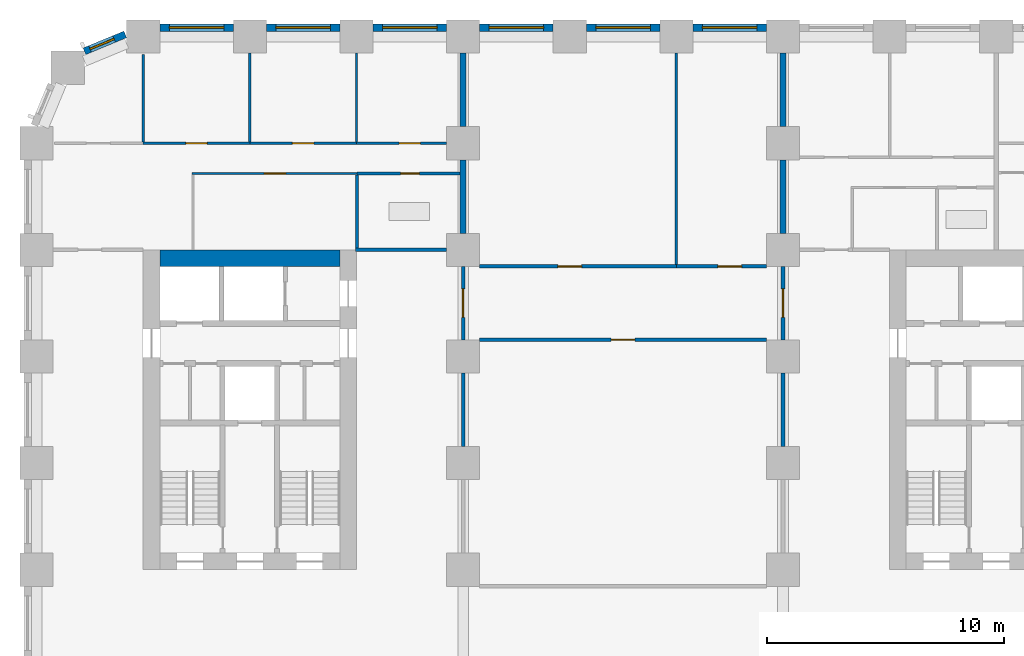
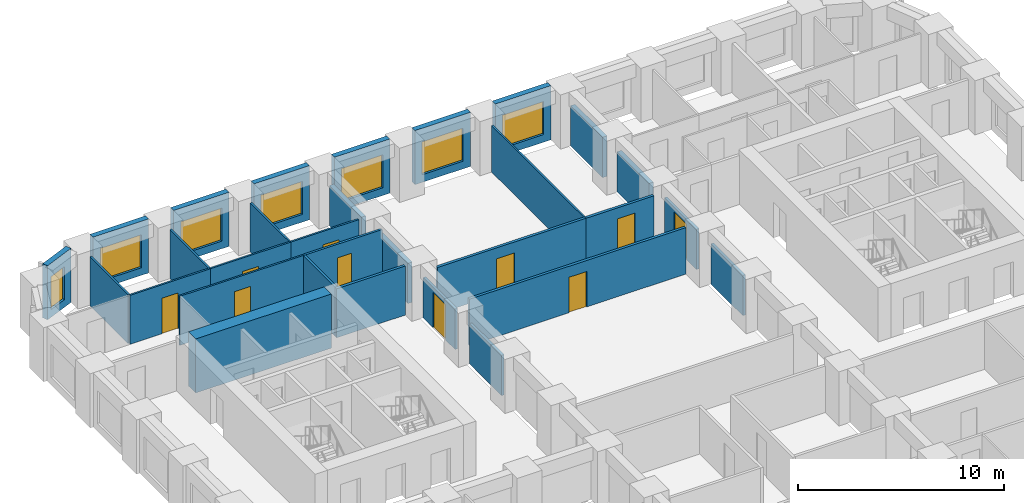
# One storey, part 7 of 12: 30 walls, 10 doors, 7 windows, 17 openings.
"""IFC4 building model written with IfcOpenShell, lengths in metres."""

import ifcopenshell
import ifcopenshell.guid

model = None  # the IFC model being written
_history = None  # IfcOwnerHistory: only IFC2X3 demands one
_inside = {}  # id of a spatial element -> (the spatial element, [elements in it])
_under = {}  # id of a project, library or spatial element -> (it, [spatial elements below it])
_declared = {}  # id of a project -> (the project, [libraries it declares])
_typed = {}  # id of a type object -> (the type object, [elements of that type])
_made_of = {}  # id of a material, layer set ... -> (it, [elements and type objects made of it])


def new_model(schema):
    """Start an empty IFC model of exactly this schema.

    Asked for "IFC4X3", IfcOpenShell would pick the latest addendum, in which some entities
    have other attributes; the version numbers below select the first issue.
    IFC2X3 requires an IfcOwnerHistory on every rooted entity: one is made here for all.
    """
    global model, _history
    if schema == "IFC4X3":
        model = ifcopenshell.file(schema_version=(4, 3, 0, 0))
    else:
        model = ifcopenshell.file(schema=schema)
    _inside.clear()
    _under.clear()
    _declared.clear()
    _typed.clear()
    _made_of.clear()
    _history = None
    if model.schema == "IFC2X3":
        org = make("IfcOrganization", Name="unknown")
        user = make(
            "IfcPersonAndOrganization",
            ThePerson=make("IfcPerson", FamilyName="unknown"),
            TheOrganization=org,
        )
        app = make(
            "IfcApplication",
            ApplicationDeveloper=org,
            Version="unknown",
            ApplicationFullName="unknown",
            ApplicationIdentifier="unknown",
        )
        _history = make(
            "IfcOwnerHistory",
            OwningUser=user,
            OwningApplication=app,
            ChangeAction="ADDED",
            CreationDate=0,
        )
    return model


def make(cls, **values):
    """One entity of the class cls with the attributes given. An attribute that is None is left unset."""
    return model.create_entity(
        cls, **{name: value for name, value in values.items() if value is not None}
    )


def rooted(cls, **values):
    """An entity with a GlobalId (a new one), such as an element, a storey or a relation."""
    return make(cls, GlobalId=ifcopenshell.guid.new(), OwnerHistory=_history, **values)


def si_unit(unit_type, name, prefix=None):
    """IfcSIUnit, for example si_unit("LENGTHUNIT", "METRE", prefix="MILLI")."""
    return make("IfcSIUnit", UnitType=unit_type, Prefix=prefix, Name=name)


def assignment(units):
    """IfcUnitAssignment: the units of a project."""
    return None if units is None else make("IfcUnitAssignment", Units=units)


def point(xyz):
    """IfcCartesianPoint."""
    return None if xyz is None else make("IfcCartesianPoint", Coordinates=xyz)


def direction(xyz):
    """IfcDirection."""
    return None if xyz is None else make("IfcDirection", DirectionRatios=xyz)


def frame(location, z_axis=None, x_axis=None):
    """IfcAxis2Placement3D, a coordinate frame: its origin and axes. An axis left out is left unset."""
    return make(
        "IfcAxis2Placement3D",
        Location=point(location),
        Axis=direction(z_axis),
        RefDirection=direction(x_axis),
    )


def frame_2d(location, x_axis=None):
    """IfcAxis2Placement2D, a coordinate frame in the plane: its origin and x axis."""
    return make(
        "IfcAxis2Placement2D", Location=point(location), RefDirection=direction(x_axis)
    )


def origin():
    """The frame at (0, 0, 0) with its axes left unset."""
    return frame((0.0, 0.0, 0.0))


def place(relative_to, where):
    """IfcLocalPlacement: puts the frame where relative to a parent placement (None: the world)."""
    return make(
        "IfcLocalPlacement", PlacementRelTo=relative_to, RelativePlacement=where
    )


def context(
    kind, dimensions, precision=None, world=None, true_north=None, identifier=None
):
    """IfcGeometricRepresentationContext, for example the 3D "Model" context."""
    return make(
        "IfcGeometricRepresentationContext",
        ContextIdentifier=identifier,
        ContextType=kind,
        CoordinateSpaceDimension=dimensions,
        Precision=precision,
        WorldCoordinateSystem=world,
        TrueNorth=true_north,
    )


def subcontext(parent, identifier, kind, view, scale=None):
    """IfcGeometricRepresentationSubContext, for example "Body" below "Model"."""
    return make(
        "IfcGeometricRepresentationSubContext",
        ContextIdentifier=identifier,
        ContextType=kind,
        ParentContext=parent,
        TargetScale=scale,
        TargetView=view,
    )


def project(units=None, contexts=None):
    """IfcProject with its units and contexts."""
    return rooted(
        "IfcProject",
        Name="project",
        RepresentationContexts=contexts,
        UnitsInContext=assignment(units),
    )


def spatial(cls, under=None, at=None, **own):
    """A site, building, storey or space (cls), placed at a placement, below another one or the project."""
    s = rooted(cls, ObjectPlacement=at, **own)
    if under is not None:
        _under.setdefault(under.id(), (under, []))[1].append(s)
    return s


def profile(cls, at=None, kind="AREA", **sizes):
    """A parametric profile (cls). Its sizes go by their IFC names, for example OverallWidth=200.0."""
    return make(cls, ProfileType=kind, Position=at, **sizes)


def rectangle(**sizes):
    """IfcRectangleProfileDef."""
    return profile("IfcRectangleProfileDef", **sizes)


def extrude(swept, where, along, depth):
    """IfcExtrudedAreaSolid: the profile swept, set in the frame where, extruded along a direction by depth."""
    return make(
        "IfcExtrudedAreaSolid",
        SweptArea=swept,
        Position=where,
        ExtrudedDirection=direction(along),
        Depth=depth,
    )


def shape(context_of_items, identifier, shape_type, items):
    """IfcShapeRepresentation: the items that make up one representation, for example the "Body"."""
    return make(
        "IfcShapeRepresentation",
        ContextOfItems=context_of_items,
        RepresentationIdentifier=identifier,
        RepresentationType=shape_type,
        Items=items,
    )


def material(Name=None, Category=None):
    """IfcMaterial."""
    return make("IfcMaterial", Name=Name, Category=Category)


def layer(
    of_material, thickness, ventilated=None, Name=None, Category=None, Priority=None
):
    """IfcMaterialLayer: one layer of a wall or slab, of a material (None: an air gap)."""
    return make(
        "IfcMaterialLayer",
        Material=of_material,
        LayerThickness=thickness,
        IsVentilated=ventilated,
        Name=Name,
        Category=Category,
        Priority=Priority,
    )


def layer_set(layers, Name=None):
    """IfcMaterialLayerSet."""
    return make("IfcMaterialLayerSet", MaterialLayers=layers, LayerSetName=Name)


def made_of(thing, what):
    """Note that an element or type object is made of a material, layer set ...; save() writes the relation."""
    if what is not None:
        _made_of.setdefault(what.id(), (what, []))[1].append(thing)
    return thing


def type_object(cls, material=None, **own):
    """A type object (cls), such as IfcWallType, which elements share."""
    return made_of(rooted(cls, **own), material)


def element(
    cls,
    number,
    at=None,
    inside=None,
    cuts=None,
    type_object=None,
    material=None,
    context=None,
    identifier="Body",
    shape_type=None,
    held_by="IfcProductDefinitionShape",
    body=None,
    shapes=None,
    **own,
):
    """One element of the class cls, such as IfcWall. Its Tag is "e" and its number.

    at: its placement. inside: the storey or other place that contains it. cuts: it is an
    opening in that element (IfcRelVoidsElement). A single representation is given by context,
    identifier, shape_type and body (its items); several are given by shapes. held_by: the class
    of the entity that holds the representations. save() writes the other relations.
    """
    e = rooted(cls, Tag="e%d" % number, ObjectPlacement=at, **own)
    if body is not None:
        shapes = [shape(context, identifier, shape_type, body)]
    if shapes is not None:
        e.Representation = make(held_by, Representations=shapes)
    if inside is not None:
        _inside.setdefault(inside.id(), (inside, []))[1].append(e)
    if cuts is not None:
        rooted(
            "IfcRelVoidsElement", RelatingBuildingElement=cuts, RelatedOpeningElement=e
        )
    if type_object is not None:
        _typed.setdefault(type_object.id(), (type_object, []))[1].append(e)
    return made_of(e, material)


def fill(opening, filler):
    """IfcRelFillsElement: the door or window that sits in an opening."""
    return rooted(
        "IfcRelFillsElement",
        RelatingOpeningElement=opening,
        RelatedBuildingElement=filler,
    )


def aggregate(whole, parts):
    """IfcRelAggregates: a whole, such as a stair, and the parts it consists of."""
    return rooted("IfcRelAggregates", RelatingObject=whole, RelatedObjects=parts)


def save(model, path):
    """Write the relations noted so far, then the file.

    IfcRelAggregates (storeys below a building ...), IfcRelContainedInSpatialStructure (elements
    in a storey), IfcRelDefinesByType, IfcRelAssociatesMaterial and IfcRelDeclares: one each for
    every whole, place, type object, material and project.
    """
    for whole, parts in _under.values():
        aggregate(whole, parts)
    for where, things in _inside.values():
        rooted(
            "IfcRelContainedInSpatialStructure",
            RelatedElements=things,
            RelatingStructure=where,
        )
    for kind, things in _typed.values():
        rooted("IfcRelDefinesByType", RelatedObjects=things, RelatingType=kind)
    for what, things in _made_of.values():
        rooted("IfcRelAssociatesMaterial", RelatedObjects=things, RelatingMaterial=what)
    for by, libraries in _declared.values():
        rooted("IfcRelDeclares", RelatingContext=by, RelatedDefinitions=libraries)
    model.write(path)


model = new_model("IFC4")

# Units and contexts
model_context = context("Model", 3, precision=1e-05, world=origin(), true_north=direction((0.0, 1.0)))
body_context = subcontext(model_context, "Body", "Model", "MODEL_VIEW")
ifc_project = project(units=[si_unit("LENGTHUNIT", "METRE"), si_unit("AREAUNIT", "SQUARE_METRE"), si_unit("VOLUMEUNIT", "CUBIC_METRE"), si_unit("PLANEANGLEUNIT", "RADIAN"), si_unit("MASSUNIT", "GRAM", prefix="KILO")], contexts=[model_context])

# Site, building, storey
site_placement = place(None, origin())
site = spatial("IfcSite", under=ifc_project, at=site_placement, CompositionType="ELEMENT")
building_placement = place(site_placement, origin())
building = spatial("IfcBuilding", under=site, at=building_placement, Name="Girih Gate Residences", CompositionType="ELEMENT")
storey_placement = place(building_placement, frame((0.0, 0.0, 59.199951171875)))
storey = spatial("IfcBuildingStorey", under=building, at=storey_placement, Name="L15", CompositionType="ELEMENT", Elevation=59.199951171875)

# Walls
ifc_material_1 = material(Name="Gypsum board on steel studs", Category="steel")
ifc_layer_1 = layer(ifc_material_1, 0.25)
ifc_layer_set_1 = layer_set([ifc_layer_1], Name="Acoustic separating wall 250 mm")
wall_type_1 = type_object("IfcWallType", Name="Acoustic separating wall 250 mm", PredefinedType="PARTITIONING", material=ifc_layer_set_1)
for number, where, z_axis, x_axis, name in (
    (1, (18.0, 41.199951171875, 0.0), (0.0, 0.0, 1.0), (0.0, 1.0, 0.0), "L15 partition"),
    (2, (18.0, 45.699951171875, 0.0), (0.0, 0.0, 1.0), (0.0, 1.0, 0.0), "L15 partition"),
    (3, (31.5, 41.199951171875, 0.0), (0.0, 0.0, 1.0), (0.0, 1.0, 0.0), "L15 partition"),
    (4, (31.5, 45.699951171875, 0.0), (0.0, 0.0, 1.0), (0.0, 1.0, 0.0), "L15 partition"),
):
    element("IfcWall", number, at=place(storey_placement, frame(where, z_axis=z_axis, x_axis=x_axis)), inside=storey, type_object=wall_type_1, Name=name, PredefinedType="PARTITIONING", context=body_context, shape_type="SweptSolid", body=[
        extrude(rectangle(XDim=3.10009765625, YDim=0.25, at=frame_2d((1.550048828125, 0.0))), origin(), (0.0, 0.0, 1.0), 2.380126953125),
    ])
ifc_layer_2 = layer(ifc_material_1, 0.14990234375)
ifc_layer_set_2 = layer_set([ifc_layer_2], Name="Compartment wall 150 mm")
wall_type_2 = type_object("IfcWallType", Name="Compartment wall 150 mm", PredefinedType="PARTITIONING", material=ifc_layer_set_2)
wall_1_placement = place(storey_placement, frame((13.45556640625, 40.5, 0.0), z_axis=(0.0, 0.0, 1.0), x_axis=(1.0, 0.0, 0.0)))
element("IfcWall", 5, at=wall_1_placement, inside=storey, type_object=wall_type_2, Name="L15 partition", PredefinedType="PARTITIONING", context=body_context, shape_type="SweptSolid", body=[
    extrude(rectangle(XDim=3.844482421875, YDim=0.14990234375, at=frame_2d((1.92236328125, 0.0))), origin(), (0.0, 0.0, 1.0), 2.900146484375),
])

# Wall, opening, door
wall_2_placement = place(storey_placement, frame((18.699951171875, 39.800048828125, 0.0), z_axis=(0.0, 0.0, 1.0), x_axis=(1.0, 0.0, 0.0)))
wall_2 = element("IfcWall", 6, at=wall_2_placement, inside=storey, type_object=wall_type_2, Name="L15 partition", PredefinedType="PARTITIONING", context=body_context, shape_type="SweptSolid", body=[
    extrude(rectangle(XDim=8.300048828125, YDim=0.14990234375, at=frame_2d((4.14990234375, 0.0))), origin(), (0.0, 0.0, 1.0), 2.75),
])
opening_1_placement = place(wall_2_placement, frame((3.300048828125, 0.0, 0.0)))
opening_1 = element("IfcOpeningElement", 7, at=opening_1_placement, cuts=wall_2, Name="Opening A15-038", PredefinedType="OPENING", context=body_context, shape_type="SweptSolid", body=[
    extrude(rectangle(XDim=1.0, YDim=2.10009765625, at=frame_2d((0.5, 1.050048828125))), frame((0.0, 0.0849609375, 0.0), z_axis=(0.0, -1.0, 0.0), x_axis=(1.0, 0.0, 0.0)), (0.0, 0.0, 1.0), 0.169921875),
])
ifc_material_2 = material(Name="Timber, fire-rated core", Category="wood")
door_type_1 = type_object("IfcDoorType", Name="Amenity room door 1000x2100 FD30S", OperationType="NOTDEFINED", PredefinedType="DOOR", material=ifc_material_2)
door_1_placement = place(opening_1_placement, origin())
door_1 = element("IfcDoor", 8, at=door_1_placement, inside=storey, type_object=door_type_1, Name="Door A15-038", OperationType="SINGLE_SWING_LEFT", OverallHeight=2.10009765625, OverallWidth=1.0, PredefinedType="DOOR", context=body_context, shape_type="SweptSolid", body=[
    extrude(rectangle(XDim=1.0, YDim=2.10009765625, at=frame_2d((0.5, 1.050048828125))), frame((0.0, 0.02490234375, 0.0), z_axis=(0.0, -1.0, 0.0), x_axis=(1.0, 0.0, 0.0)), (0.0, 0.0, 1.0), 0.050048828125),
])
fill(opening_1, door_1)

wall_3_placement = place(storey_placement, frame((27.0, 39.800048828125, 0.0), z_axis=(0.0, 0.0, 1.0), x_axis=(1.0, 0.0, 0.0)))
wall_3 = element("IfcWall", 9, at=wall_3_placement, inside=storey, type_object=wall_type_2, Name="L15 partition", PredefinedType="PARTITIONING", context=body_context, shape_type="SweptSolid", body=[
    extrude(rectangle(XDim=3.800048828125, YDim=0.14990234375, at=frame_2d((1.89990234375, 0.0))), origin(), (0.0, 0.0, 1.0), 2.75),
])
opening_2_placement = place(wall_3_placement, frame((1.75, 0.0, 0.0)))
opening_2 = element("IfcOpeningElement", 10, at=opening_2_placement, cuts=wall_3, Name="Opening A15-039", PredefinedType="OPENING", context=body_context, shape_type="SweptSolid", body=[
    extrude(rectangle(XDim=1.0, YDim=2.10009765625, at=frame_2d((0.5, 1.050048828125))), frame((0.0, 0.0849609375, 0.0), z_axis=(0.0, -1.0, 0.0), x_axis=(1.0, 0.0, 0.0)), (0.0, 0.0, 1.0), 0.169921875),
])
door_2_placement = place(opening_2_placement, origin())
door_2 = element("IfcDoor", 11, at=door_2_placement, inside=storey, type_object=door_type_1, Name="Door A15-039", OperationType="SINGLE_SWING_RIGHT", OverallHeight=2.10009765625, OverallWidth=1.0, PredefinedType="DOOR", context=body_context, shape_type="SweptSolid", body=[
    extrude(rectangle(XDim=1.0, YDim=2.10009765625, at=frame_2d((0.5, 1.050048828125))), frame((0.0, 0.02490234375, 0.0), z_axis=(0.0, -1.0, 0.0), x_axis=(1.0, 0.0, 0.0)), (0.0, 0.0, 1.0), 0.050048828125),
])
fill(opening_2, door_2)

wall_4_placement = place(storey_placement, frame((30.800048828125, 36.699951171875, 0.0), z_axis=(0.0, 0.0, 1.0), x_axis=(-1.0, 0.0, 0.0)))
wall_4 = element("IfcWall", 12, at=wall_4_placement, inside=storey, type_object=wall_type_2, Name="L15 partition", PredefinedType="PARTITIONING", context=body_context, shape_type="SweptSolid", body=[
    extrude(rectangle(XDim=12.10009765625, YDim=0.14990234375, at=frame_2d((6.050048828125, 0.0))), origin(), (0.0, 0.0, 1.0), 2.75),
])
opening_3_placement = place(wall_4_placement, frame((5.550048828125, 0.0, 0.0)))
opening_3 = element("IfcOpeningElement", 13, at=opening_3_placement, cuts=wall_4, Name="Opening A15-040", PredefinedType="OPENING", context=body_context, shape_type="SweptSolid", body=[
    extrude(rectangle(XDim=1.0, YDim=2.10009765625, at=frame_2d((0.5, 1.050048828125))), frame((0.0, 0.0849609375, 0.0), z_axis=(0.0, -1.0, 0.0), x_axis=(1.0, 0.0, 0.0)), (0.0, 0.0, 1.0), 0.169921875),
])
door_3_placement = place(opening_3_placement, origin())
door_3 = element("IfcDoor", 14, at=door_3_placement, inside=storey, type_object=door_type_1, Name="Door A15-040", OperationType="SINGLE_SWING_RIGHT", OverallHeight=2.10009765625, OverallWidth=1.0, PredefinedType="DOOR", context=body_context, shape_type="SweptSolid", body=[
    extrude(rectangle(XDim=1.0, YDim=2.10009765625, at=frame_2d((0.5, 1.050048828125))), frame((0.0, 0.02490234375, 0.0), z_axis=(0.0, -1.0, 0.0), x_axis=(1.0, 0.0, 0.0)), (0.0, 0.0, 1.0), 0.050048828125),
])
fill(opening_3, door_3)

wall_5_placement = place(storey_placement, frame((31.5, 36.699951171875, 0.0), z_axis=(0.0, 0.0, 1.0), x_axis=(0.0, 1.0, 0.0)))
wall_5 = element("IfcWall", 15, at=wall_5_placement, inside=storey, type_object=wall_type_2, Name="L15 partition", PredefinedType="PARTITIONING", context=body_context, shape_type="SweptSolid", body=[
    extrude(rectangle(XDim=3.10009765625, YDim=0.14990234375, at=frame_2d((1.550048828125, 0.0))), origin(), (0.0, 0.0, 1.0), 2.380126953125),
])
opening_4_placement = place(wall_5_placement, frame((0.949951171875, 0.0, 0.0)))
opening_4 = element("IfcOpeningElement", 16, at=opening_4_placement, cuts=wall_5, Name="Opening A15-041", PredefinedType="OPENING", context=body_context, shape_type="SweptSolid", body=[
    extrude(rectangle(XDim=1.199951171875, YDim=2.10009765625, at=frame_2d((0.60009765625, 1.050048828125))), frame((0.0, 0.0849609375, 0.0), z_axis=(0.0, -1.0, 0.0), x_axis=(1.0, 0.0, 0.0)), (0.0, 0.0, 1.0), 0.169921875),
])
door_type_2 = type_object("IfcDoorType", Name="Corridor fire door 1200x2100 FD30S", OperationType="NOTDEFINED", PredefinedType="DOOR", material=ifc_material_2)
door_4_placement = place(opening_4_placement, origin())
door_4 = element("IfcDoor", 17, at=door_4_placement, inside=storey, type_object=door_type_2, Name="Door A15-041", OperationType="SINGLE_SWING_LEFT", OverallHeight=2.10009765625, OverallWidth=1.199951171875, PredefinedType="DOOR", context=body_context, shape_type="SweptSolid", body=[
    extrude(rectangle(XDim=1.199951171875, YDim=2.10009765625, at=frame_2d((0.60009765625, 1.050048828125))), frame((0.0, 0.02490234375, 0.0), z_axis=(0.0, -1.0, 0.0), x_axis=(1.0, 0.0, 0.0)), (0.0, 0.0, 1.0), 0.050048828125),
])
fill(opening_4, door_4)

wall_6_placement = place(storey_placement, frame((18.0, 39.800048828125, 0.0), z_axis=(0.0, 0.0, 1.0), x_axis=(0.0, -1.0, 0.0)))
wall_6 = element("IfcWall", 18, at=wall_6_placement, inside=storey, type_object=wall_type_2, Name="L15 partition", PredefinedType="PARTITIONING", context=body_context, shape_type="SweptSolid", body=[
    extrude(rectangle(XDim=3.10009765625, YDim=0.14990234375, at=frame_2d((1.550048828125, 0.0))), origin(), (0.0, 0.0, 1.0), 2.380126953125),
])
opening_5_placement = place(wall_6_placement, frame((0.949951171875, 0.0, 0.0)))
opening_5 = element("IfcOpeningElement", 19, at=opening_5_placement, cuts=wall_6, Name="Opening A15-042", PredefinedType="OPENING", context=body_context, shape_type="SweptSolid", body=[
    extrude(rectangle(XDim=1.199951171875, YDim=2.10009765625, at=frame_2d((0.60009765625, 1.050048828125))), frame((0.0, 0.0849609375, 0.0), z_axis=(0.0, -1.0, 0.0), x_axis=(1.0, 0.0, 0.0)), (0.0, 0.0, 1.0), 0.169921875),
])
door_5_placement = place(opening_5_placement, origin())
door_5 = element("IfcDoor", 20, at=door_5_placement, inside=storey, type_object=door_type_2, Name="Door A15-042", OperationType="SINGLE_SWING_LEFT", OverallHeight=2.10009765625, OverallWidth=1.199951171875, PredefinedType="DOOR", context=body_context, shape_type="SweptSolid", body=[
    extrude(rectangle(XDim=1.199951171875, YDim=2.10009765625, at=frame_2d((0.60009765625, 1.050048828125))), frame((0.0, 0.02490234375, 0.0), z_axis=(0.0, -1.0, 0.0), x_axis=(1.0, 0.0, 0.0)), (0.0, 0.0, 1.0), 0.050048828125),
])
fill(opening_5, door_5)

# Walls
for number, where, z_axis, x_axis, name in (
    (21, (31.5, 32.199951171875, 0.0), (0.0, 0.0, 1.0), (0.0, 1.0, 0.0), "L15 partition"),
    (22, (18.0, 32.199951171875, 0.0), (0.0, 0.0, 1.0), (0.0, 1.0, 0.0), "L15 partition"),
):
    element("IfcWall", number, at=place(storey_placement, frame(where, z_axis=z_axis, x_axis=x_axis)), inside=storey, type_object=wall_type_2, Name=name, PredefinedType="PARTITIONING", context=body_context, shape_type="SweptSolid", body=[
        extrude(rectangle(XDim=3.10009765625, YDim=0.14990234375, at=frame_2d((1.550048828125, 0.0))), origin(), (0.0, 0.0, 1.0), 2.380126953125),
    ])
ifc_material_3 = material(Name="Concrete C60/75", Category="concrete")
ifc_layer_3 = layer(ifc_material_3, 0.699951171875)
ifc_layer_set_3 = layer_set([ifc_layer_3], Name="Core wall RC 700 Concrete C60/75")
wall_type_3 = type_object("IfcWallType", Name="Core wall RC 700 Concrete C60/75", PredefinedType="SOLIDWALL", material=ifc_layer_set_3)
wall_7_placement = place(storey_placement, frame((5.199951171875, 40.14990234375, 0.0), z_axis=(0.0, 0.0, 1.0), x_axis=(1.0, 0.0, 0.0)))
element("IfcWall", 23, at=wall_7_placement, inside=storey, type_object=wall_type_3, Name="Core wall W-N L15", PredefinedType="SOLIDWALL", context=body_context, shape_type="SweptSolid", body=[
    extrude(rectangle(XDim=7.60009765625, YDim=0.699951171875, at=frame_2d((3.800048828125, 0.0))), origin(), (0.0, 0.0, 1.0), 3.199951171875),
])
ifc_layer_4 = layer(ifc_material_1, 0.10009765625)
ifc_layer_set_4 = layer_set([ifc_layer_4], Name="Partition 100 mm")
wall_type_4 = type_object("IfcWallType", Name="Partition 100 mm", PredefinedType="PARTITIONING", material=ifc_layer_set_4)
wall_8_placement = place(storey_placement, frame((9.0, 45.050048828125, 0.0), z_axis=(0.0, 0.0, 1.0), x_axis=(0.0, 1.0, 0.0)))
element("IfcWall", 24, at=wall_8_placement, inside=storey, type_object=wall_type_4, Name="L15 partition", PredefinedType="PARTITIONING", context=body_context, shape_type="SweptSolid", body=[
    extrude(rectangle(XDim=3.75, YDim=0.10009765625, at=frame_2d((1.875, 0.0))), origin(), (0.0, 0.0, 1.0), 2.900146484375),
])

# Wall, opening, door
wall_9_placement = place(storey_placement, frame((4.5, 45.0, 0.0), z_axis=(0.0, 0.0, 1.0), x_axis=(1.0, 0.0, 0.0)))
wall_9 = element("IfcWall", 25, at=wall_9_placement, inside=storey, type_object=wall_type_4, Name="L15 partition", PredefinedType="PARTITIONING", context=body_context, shape_type="SweptSolid", body=[
    extrude(rectangle(XDim=4.5, YDim=0.10009765625, at=frame_2d((2.25, 0.0))), origin(), (0.0, 0.0, 1.0), 2.900146484375),
])
opening_6_placement = place(wall_9_placement, frame((1.800048828125, 0.0, 0.0)))
opening_6 = element("IfcOpeningElement", 26, at=opening_6_placement, cuts=wall_9, Name="Opening A15-012", PredefinedType="OPENING", context=body_context, shape_type="SweptSolid", body=[
    extrude(rectangle(XDim=0.89990234375, YDim=2.10009765625, at=frame_2d((0.449951171875, 1.050048828125))), frame((0.0, 0.06005859375, 0.0), z_axis=(0.0, -1.0, 0.0), x_axis=(1.0, 0.0, 0.0)), (0.0, 0.0, 1.0), 0.1201171875),
])
ifc_material_4 = material(Name="Timber", Category="wood")
door_type_3 = type_object("IfcDoorType", Name="Bedroom door 900x2100", OperationType="NOTDEFINED", PredefinedType="DOOR", material=ifc_material_4)
door_6_placement = place(opening_6_placement, origin())
door_6 = element("IfcDoor", 27, at=door_6_placement, inside=storey, type_object=door_type_3, Name="Door A15-012", OperationType="SINGLE_SWING_RIGHT", OverallHeight=2.10009765625, OverallWidth=0.89990234375, PredefinedType="DOOR", context=body_context, shape_type="SweptSolid", body=[
    extrude(rectangle(XDim=0.89990234375, YDim=2.10009765625, at=frame_2d((0.449951171875, 1.050048828125))), frame((0.0, 0.02490234375, 0.0), z_axis=(0.0, -1.0, 0.0), x_axis=(1.0, 0.0, 0.0)), (0.0, 0.0, 1.0), 0.050048828125),
])
fill(opening_6, door_6)

# Walls
wall_10_placement = place(storey_placement, frame((4.5, 45.050048828125, 0.0), z_axis=(0.0, 0.0, 1.0), x_axis=(0.0, 1.0, 0.0)))
element("IfcWall", 28, at=wall_10_placement, inside=storey, type_object=wall_type_4, Name="L15 partition", PredefinedType="PARTITIONING", context=body_context, shape_type="SweptSolid", body=[
    extrude(rectangle(XDim=3.6923828125, YDim=0.10009765625, at=frame_2d((1.84619140625, 0.0))), origin(), (0.0, 0.0, 1.0), 2.900146484375),
])
wall_11_placement = place(storey_placement, frame((13.5, 45.050048828125, 0.0), z_axis=(0.0, 0.0, 1.0), x_axis=(0.0, 1.0, 0.0)))
element("IfcWall", 29, at=wall_11_placement, inside=storey, type_object=wall_type_4, Name="L15 partition", PredefinedType="PARTITIONING", context=body_context, shape_type="SweptSolid", body=[
    extrude(rectangle(XDim=3.75, YDim=0.10009765625, at=frame_2d((1.875, 0.0))), origin(), (0.0, 0.0, 1.0), 2.900146484375),
])

# Wall, opening, door
wall_12_placement = place(storey_placement, frame((9.0, 45.0, 0.0), z_axis=(0.0, 0.0, 1.0), x_axis=(1.0, 0.0, 0.0)))
wall_12 = element("IfcWall", 30, at=wall_12_placement, inside=storey, type_object=wall_type_4, Name="L15 partition", PredefinedType="PARTITIONING", context=body_context, shape_type="SweptSolid", body=[
    extrude(rectangle(XDim=4.5, YDim=0.10009765625, at=frame_2d((2.25, 0.0))), origin(), (0.0, 0.0, 1.0), 2.900146484375),
])
opening_7_placement = place(wall_12_placement, frame((1.800048828125, 0.0, 0.0)))
opening_7 = element("IfcOpeningElement", 31, at=opening_7_placement, cuts=wall_12, Name="Opening A15-013", PredefinedType="OPENING", context=body_context, shape_type="SweptSolid", body=[
    extrude(rectangle(XDim=0.89990234375, YDim=2.10009765625, at=frame_2d((0.449951171875, 1.050048828125))), frame((0.0, 0.06005859375, 0.0), z_axis=(0.0, -1.0, 0.0), x_axis=(1.0, 0.0, 0.0)), (0.0, 0.0, 1.0), 0.1201171875),
])
door_7_placement = place(opening_7_placement, origin())
door_7 = element("IfcDoor", 32, at=door_7_placement, inside=storey, type_object=door_type_3, Name="Door A15-013", OperationType="SINGLE_SWING_LEFT", OverallHeight=2.10009765625, OverallWidth=0.89990234375, PredefinedType="DOOR", context=body_context, shape_type="SweptSolid", body=[
    extrude(rectangle(XDim=0.89990234375, YDim=2.10009765625, at=frame_2d((0.449951171875, 1.050048828125))), frame((0.0, 0.02490234375, 0.0), z_axis=(0.0, -1.0, 0.0), x_axis=(1.0, 0.0, 0.0)), (0.0, 0.0, 1.0), 0.050048828125),
])
fill(opening_7, door_7)

wall_13_placement = place(storey_placement, frame((13.5, 45.0, 0.0), z_axis=(0.0, 0.0, 1.0), x_axis=(1.0, 0.0, 0.0)))
wall_13 = element("IfcWall", 33, at=wall_13_placement, inside=storey, type_object=wall_type_4, Name="L15 partition", PredefinedType="PARTITIONING", context=body_context, shape_type="SweptSolid", body=[
    extrude(rectangle(XDim=3.800048828125, YDim=0.10009765625, at=frame_2d((1.89990234375, 0.0))), origin(), (0.0, 0.0, 1.0), 2.900146484375),
])
opening_8_placement = place(wall_13_placement, frame((1.800048828125, 0.0, 0.0)))
opening_8 = element("IfcOpeningElement", 34, at=opening_8_placement, cuts=wall_13, Name="Opening A15-014", PredefinedType="OPENING", context=body_context, shape_type="SweptSolid", body=[
    extrude(rectangle(XDim=0.89990234375, YDim=2.10009765625, at=frame_2d((0.449951171875, 1.050048828125))), frame((0.0, 0.06005859375, 0.0), z_axis=(0.0, -1.0, 0.0), x_axis=(1.0, 0.0, 0.0)), (0.0, 0.0, 1.0), 0.1201171875),
])
door_8_placement = place(opening_8_placement, origin())
door_8 = element("IfcDoor", 35, at=door_8_placement, inside=storey, type_object=door_type_3, Name="Door A15-014", OperationType="SINGLE_SWING_RIGHT", OverallHeight=2.10009765625, OverallWidth=0.89990234375, PredefinedType="DOOR", context=body_context, shape_type="SweptSolid", body=[
    extrude(rectangle(XDim=0.89990234375, YDim=2.10009765625, at=frame_2d((0.449951171875, 1.050048828125))), frame((0.0, 0.02490234375, 0.0), z_axis=(0.0, -1.0, 0.0), x_axis=(1.0, 0.0, 0.0)), (0.0, 0.0, 1.0), 0.050048828125),
])
fill(opening_8, door_8)

wall_14_placement = place(storey_placement, frame((13.51806640625, 43.719970703125, 0.0), z_axis=(0.0, 0.0, 1.0), x_axis=(-1.0, 0.0, 0.0)))
wall_14 = element("IfcWall", 36, at=wall_14_placement, inside=storey, type_object=wall_type_4, Name="L15 partition", PredefinedType="PARTITIONING", context=body_context, shape_type="SweptSolid", body=[
    extrude(rectangle(XDim=6.968017578125, YDim=0.10009765625, at=frame_2d((3.48388671875, 0.0))), origin(), (0.0, 0.0, 1.0), 2.900146484375),
])
opening_9_placement = place(wall_14_placement, frame((3.009033203125, 0.0, 0.0)))
opening_9 = element("IfcOpeningElement", 37, at=opening_9_placement, cuts=wall_14, Name="Opening A15-015", PredefinedType="OPENING", context=body_context, shape_type="SweptSolid", body=[
    extrude(rectangle(XDim=0.89990234375, YDim=2.10009765625, at=frame_2d((0.449951171875, 1.050048828125))), frame((0.0, 0.06005859375, 0.0), z_axis=(0.0, -1.0, 0.0), x_axis=(1.0, 0.0, 0.0)), (0.0, 0.0, 1.0), 0.1201171875),
])
door_type_4 = type_object("IfcDoorType", Name="Kitchen door 900x2100", OperationType="NOTDEFINED", PredefinedType="DOOR", material=ifc_material_4)
door_9_placement = place(opening_9_placement, origin())
door_9 = element("IfcDoor", 38, at=door_9_placement, inside=storey, type_object=door_type_4, Name="Door A15-015", OperationType="SINGLE_SWING_LEFT", OverallHeight=2.10009765625, OverallWidth=0.89990234375, PredefinedType="DOOR", context=body_context, shape_type="SweptSolid", body=[
    extrude(rectangle(XDim=0.89990234375, YDim=2.10009765625, at=frame_2d((0.449951171875, 1.050048828125))), frame((0.0, 0.02490234375, 0.0), z_axis=(0.0, -1.0, 0.0), x_axis=(1.0, 0.0, 0.0)), (0.0, 0.0, 1.0), 0.050048828125),
])
fill(opening_9, door_9)

# Wall
wall_15_placement = place(storey_placement, frame((27.0, 39.875, 0.0), z_axis=(0.0, 0.0, 1.0), x_axis=(0.0, 1.0, 0.0)))
element("IfcWall", 39, at=wall_15_placement, inside=storey, type_object=wall_type_4, Name="L15 partition", PredefinedType="PARTITIONING", context=body_context, shape_type="SweptSolid", body=[
    extrude(rectangle(XDim=8.925048828125, YDim=0.10009765625, at=frame_2d((4.46240234375, 0.0))), origin(), (0.0, 0.0, 1.0), 2.75),
])

# Wall, opening, window
ifc_material_5 = material(Name="Precast concrete C50/60", Category="concrete")
ifc_layer_5 = layer(ifc_material_5, 0.080078125, Name="Outer leaf")
ifc_material_6 = material(Name="Rigid PIR insulation")
ifc_layer_6 = layer(ifc_material_6, 0.14990234375, Name="Insulation")
ifc_material_7 = material(Name="Precast concrete C40/50", Category="concrete")
ifc_layer_7 = layer(ifc_material_7, 0.070068359375, Name="Inner leaf")
ifc_layer_set_5 = layer_set([ifc_layer_5, ifc_layer_6, ifc_layer_7], Name="Precast concrete C50/60 external wall 300")
wall_type_5 = type_object("IfcWallType", Name="Precast concrete C50/60 external wall 300", PredefinedType="SOLIDWALL", material=ifc_layer_set_5)
wall_16_placement = place(storey_placement, frame((27.699951171875, 49.875, 0.0), z_axis=(0.0, 0.0, 1.0), x_axis=(1.0, 0.0, 0.0)))
wall_16 = element("IfcWall", 40, at=wall_16_placement, inside=storey, type_object=wall_type_5, Name="External wall N0450_0495.3", PredefinedType="SOLIDWALL", context=body_context, shape_type="SweptSolid", body=[
    extrude(rectangle(XDim=3.10009765625, YDim=0.300048828125, at=frame_2d((1.550048828125, 0.0))), origin(), (0.0, 0.0, 1.0), 3.199951171875),
])
opening_10_placement = place(wall_16_placement, frame((0.39990234375, 0.0, 0.449951171875)))
opening_10 = element("IfcOpeningElement", 41, at=opening_10_placement, cuts=wall_16, Name="Opening W-1", PredefinedType="OPENING", context=body_context, shape_type="SweptSolid", body=[
    extrude(rectangle(XDim=2.300048828125, YDim=1.949951171875, at=frame_2d((1.14990234375, 0.97509765625))), frame((0.0, 0.159912109375, 0.0), z_axis=(0.0, -1.0, 0.0), x_axis=(1.0, 0.0, 0.0)), (0.0, 0.0, 1.0), 0.320068359375),
])
ifc_material_8 = material(Name="Double glazing in aluminium frame", Category="aluminium")
window_type_1 = type_object("IfcWindowType", Name="Window W-1 2300x1950", PartitioningType="SINGLE_PANEL", PredefinedType="WINDOW", material=ifc_material_8)
window_1_placement = place(opening_10_placement, origin())
window_1 = element("IfcWindow", 42, at=window_1_placement, inside=storey, type_object=window_type_1, Name="Window W-1 N0450_0495.3", OverallHeight=1.949951171875, OverallWidth=2.300048828125, PartitioningType="SINGLE_PANEL", PredefinedType="WINDOW", context=body_context, shape_type="SweptSolid", body=[
    extrude(rectangle(XDim=2.300048828125, YDim=1.949951171875, at=frame_2d((1.14990234375, 0.97509765625))), frame((0.0, 0.030029296875, 0.0), z_axis=(0.0, -1.0, 0.0), x_axis=(1.0, 0.0, 0.0)), (0.0, 0.0, 1.0), 0.06005859375),
])
fill(opening_10, window_1)

wall_17_placement = place(storey_placement, frame((23.199951171875, 49.875, 0.0), z_axis=(0.0, 0.0, 1.0), x_axis=(1.0, 0.0, 0.0)))
wall_17 = element("IfcWall", 43, at=wall_17_placement, inside=storey, type_object=wall_type_5, Name="External wall N0450_0495.4", PredefinedType="SOLIDWALL", context=body_context, shape_type="SweptSolid", body=[
    extrude(rectangle(XDim=3.10009765625, YDim=0.300048828125, at=frame_2d((1.550048828125, 0.0))), origin(), (0.0, 0.0, 1.0), 3.199951171875),
])
opening_11_placement = place(wall_17_placement, frame((0.39990234375, 0.0, 0.449951171875)))
opening_11 = element("IfcOpeningElement", 44, at=opening_11_placement, cuts=wall_17, Name="Opening W-1", PredefinedType="OPENING", context=body_context, shape_type="SweptSolid", body=[
    extrude(rectangle(XDim=2.300048828125, YDim=1.949951171875, at=frame_2d((1.14990234375, 0.97509765625))), frame((0.0, 0.159912109375, 0.0), z_axis=(0.0, -1.0, 0.0), x_axis=(1.0, 0.0, 0.0)), (0.0, 0.0, 1.0), 0.320068359375),
])
window_2_placement = place(opening_11_placement, origin())
window_2 = element("IfcWindow", 45, at=window_2_placement, inside=storey, type_object=window_type_1, Name="Window W-1 N0450_0495.4", OverallHeight=1.949951171875, OverallWidth=2.300048828125, PartitioningType="SINGLE_PANEL", PredefinedType="WINDOW", context=body_context, shape_type="SweptSolid", body=[
    extrude(rectangle(XDim=2.300048828125, YDim=1.949951171875, at=frame_2d((1.14990234375, 0.97509765625))), frame((0.0, 0.030029296875, 0.0), z_axis=(0.0, -1.0, 0.0), x_axis=(1.0, 0.0, 0.0)), (0.0, 0.0, 1.0), 0.06005859375),
])
fill(opening_11, window_2)

wall_18_placement = place(storey_placement, frame((18.699951171875, 49.875, 0.0), z_axis=(0.0, 0.0, 1.0), x_axis=(1.0, 0.0, 0.0)))
wall_18 = element("IfcWall", 46, at=wall_18_placement, inside=storey, type_object=wall_type_5, Name="External wall N0450_0495.5", PredefinedType="SOLIDWALL", context=body_context, shape_type="SweptSolid", body=[
    extrude(rectangle(XDim=3.10009765625, YDim=0.300048828125, at=frame_2d((1.550048828125, 0.0))), origin(), (0.0, 0.0, 1.0), 3.199951171875),
])
opening_12_placement = place(wall_18_placement, frame((0.39990234375, 0.0, 0.449951171875)))
opening_12 = element("IfcOpeningElement", 47, at=opening_12_placement, cuts=wall_18, Name="Opening W-1", PredefinedType="OPENING", context=body_context, shape_type="SweptSolid", body=[
    extrude(rectangle(XDim=2.300048828125, YDim=1.949951171875, at=frame_2d((1.14990234375, 0.97509765625))), frame((0.0, 0.159912109375, 0.0), z_axis=(0.0, -1.0, 0.0), x_axis=(1.0, 0.0, 0.0)), (0.0, 0.0, 1.0), 0.320068359375),
])
window_3_placement = place(opening_12_placement, origin())
window_3 = element("IfcWindow", 48, at=window_3_placement, inside=storey, type_object=window_type_1, Name="Window W-1 N0450_0495.5", OverallHeight=1.949951171875, OverallWidth=2.300048828125, PartitioningType="SINGLE_PANEL", PredefinedType="WINDOW", context=body_context, shape_type="SweptSolid", body=[
    extrude(rectangle(XDim=2.300048828125, YDim=1.949951171875, at=frame_2d((1.14990234375, 0.97509765625))), frame((0.0, 0.030029296875, 0.0), z_axis=(0.0, -1.0, 0.0), x_axis=(1.0, 0.0, 0.0)), (0.0, 0.0, 1.0), 0.06005859375),
])
fill(opening_12, window_3)

wall_19_placement = place(storey_placement, frame((14.199951171875, 49.875, 0.0), z_axis=(0.0, 0.0, 1.0), x_axis=(1.0, 0.0, 0.0)))
wall_19 = element("IfcWall", 49, at=wall_19_placement, inside=storey, type_object=wall_type_5, Name="External wall N0450_0495.6", PredefinedType="SOLIDWALL", context=body_context, shape_type="SweptSolid", body=[
    extrude(rectangle(XDim=3.10009765625, YDim=0.300048828125, at=frame_2d((1.550048828125, 0.0))), origin(), (0.0, 0.0, 1.0), 3.199951171875),
])
opening_13_placement = place(wall_19_placement, frame((0.39990234375, 0.0, 0.449951171875)))
opening_13 = element("IfcOpeningElement", 50, at=opening_13_placement, cuts=wall_19, Name="Opening W-1", PredefinedType="OPENING", context=body_context, shape_type="SweptSolid", body=[
    extrude(rectangle(XDim=2.300048828125, YDim=1.949951171875, at=frame_2d((1.14990234375, 0.97509765625))), frame((0.0, 0.159912109375, 0.0), z_axis=(0.0, -1.0, 0.0), x_axis=(1.0, 0.0, 0.0)), (0.0, 0.0, 1.0), 0.320068359375),
])
window_4_placement = place(opening_13_placement, origin())
window_4 = element("IfcWindow", 51, at=window_4_placement, inside=storey, type_object=window_type_1, Name="Window W-1 N0450_0495.6", OverallHeight=1.949951171875, OverallWidth=2.300048828125, PartitioningType="SINGLE_PANEL", PredefinedType="WINDOW", context=body_context, shape_type="SweptSolid", body=[
    extrude(rectangle(XDim=2.300048828125, YDim=1.949951171875, at=frame_2d((1.14990234375, 0.97509765625))), frame((0.0, 0.030029296875, 0.0), z_axis=(0.0, -1.0, 0.0), x_axis=(1.0, 0.0, 0.0)), (0.0, 0.0, 1.0), 0.06005859375),
])
fill(opening_13, window_4)

wall_20_placement = place(storey_placement, frame((9.699951171875, 49.875, 0.0), z_axis=(0.0, 0.0, 1.0), x_axis=(1.0, 0.0, 0.0)))
wall_20 = element("IfcWall", 52, at=wall_20_placement, inside=storey, type_object=wall_type_5, Name="External wall N0450_0495.7", PredefinedType="SOLIDWALL", context=body_context, shape_type="SweptSolid", body=[
    extrude(rectangle(XDim=3.10009765625, YDim=0.300048828125, at=frame_2d((1.550048828125, 0.0))), origin(), (0.0, 0.0, 1.0), 3.199951171875),
])
opening_14_placement = place(wall_20_placement, frame((0.39990234375, 0.0, 0.449951171875)))
opening_14 = element("IfcOpeningElement", 53, at=opening_14_placement, cuts=wall_20, Name="Opening W-1", PredefinedType="OPENING", context=body_context, shape_type="SweptSolid", body=[
    extrude(rectangle(XDim=2.300048828125, YDim=1.949951171875, at=frame_2d((1.14990234375, 0.97509765625))), frame((0.0, 0.159912109375, 0.0), z_axis=(0.0, -1.0, 0.0), x_axis=(1.0, 0.0, 0.0)), (0.0, 0.0, 1.0), 0.320068359375),
])
window_5_placement = place(opening_14_placement, origin())
window_5 = element("IfcWindow", 54, at=window_5_placement, inside=storey, type_object=window_type_1, Name="Window W-1 N0450_0495.7", OverallHeight=1.949951171875, OverallWidth=2.300048828125, PartitioningType="SINGLE_PANEL", PredefinedType="WINDOW", context=body_context, shape_type="SweptSolid", body=[
    extrude(rectangle(XDim=2.300048828125, YDim=1.949951171875, at=frame_2d((1.14990234375, 0.97509765625))), frame((0.0, 0.030029296875, 0.0), z_axis=(0.0, -1.0, 0.0), x_axis=(1.0, 0.0, 0.0)), (0.0, 0.0, 1.0), 0.06005859375),
])
fill(opening_14, window_5)

wall_21_placement = place(storey_placement, frame((5.199951171875, 49.875, 0.0), z_axis=(0.0, 0.0, 1.0), x_axis=(1.0, 0.0, 0.0)))
wall_21 = element("IfcWall", 55, at=wall_21_placement, inside=storey, type_object=wall_type_5, Name="External wall N0450_0495.8", PredefinedType="SOLIDWALL", context=body_context, shape_type="SweptSolid", body=[
    extrude(rectangle(XDim=3.10009765625, YDim=0.300048828125, at=frame_2d((1.550048828125, 0.0))), origin(), (0.0, 0.0, 1.0), 3.199951171875),
])
opening_15_placement = place(wall_21_placement, frame((0.39990234375, 0.0, 0.449951171875)))
opening_15 = element("IfcOpeningElement", 56, at=opening_15_placement, cuts=wall_21, Name="Opening W-1", PredefinedType="OPENING", context=body_context, shape_type="SweptSolid", body=[
    extrude(rectangle(XDim=2.300048828125, YDim=1.949951171875, at=frame_2d((1.14990234375, 0.97509765625))), frame((0.0, 0.159912109375, 0.0), z_axis=(0.0, -1.0, 0.0), x_axis=(1.0, 0.0, 0.0)), (0.0, 0.0, 1.0), 0.320068359375),
])
window_6_placement = place(opening_15_placement, origin())
window_6 = element("IfcWindow", 57, at=window_6_placement, inside=storey, type_object=window_type_1, Name="Window W-1 N0450_0495.8", OverallHeight=1.949951171875, OverallWidth=2.300048828125, PartitioningType="SINGLE_PANEL", PredefinedType="WINDOW", context=body_context, shape_type="SweptSolid", body=[
    extrude(rectangle(XDim=2.300048828125, YDim=1.949951171875, at=frame_2d((1.14990234375, 0.97509765625))), frame((0.0, 0.030029296875, 0.0), z_axis=(0.0, -1.0, 0.0), x_axis=(1.0, 0.0, 0.0)), (0.0, 0.0, 1.0), 0.06005859375),
])
fill(opening_15, window_6)

wall_22_placement = place(storey_placement, frame((2.01953125, 48.87841796875, 0.0), z_axis=(0.0, 0.0, 1.0), x_axis=(0.923903565336, 0.38262540684, 0.0)))
wall_22 = element("IfcWall", 58, at=wall_22_placement, inside=storey, type_object=wall_type_5, Name="External wall NW0045_0495.0", PredefinedType="SOLIDWALL", context=body_context, shape_type="SweptSolid", body=[
    extrude(rectangle(XDim=1.864990234375, YDim=0.300048828125, at=frame_2d((0.9326171875, 0.0))), origin(), (0.0, 0.0, 1.0), 3.199951171875),
])
opening_16_placement = place(wall_22_placement, frame((0.257568359375, 0.0, 0.449951171875)))
opening_16 = element("IfcOpeningElement", 59, at=opening_16_placement, cuts=wall_22, Name="Opening W-2C", PredefinedType="OPENING", context=body_context, shape_type="SweptSolid", body=[
    extrude(rectangle(XDim=1.10009765625, YDim=1.949951171875, at=frame_2d((0.550048828125, 0.97509765625))), frame((0.0, 0.159912109375, 0.0), z_axis=(0.0, -1.0, 0.0), x_axis=(1.0, 0.0, 0.0)), (0.0, 0.0, 1.0), 0.320068359375),
])
window_type_2 = type_object("IfcWindowType", Name="Window W-2C 1100x1950", PartitioningType="SINGLE_PANEL", PredefinedType="WINDOW", material=ifc_material_8)
window_7_placement = place(opening_16_placement, origin())
window_7 = element("IfcWindow", 60, at=window_7_placement, inside=storey, type_object=window_type_2, Name="Window W-2C NW0045_0495.0", OverallHeight=1.949951171875, OverallWidth=1.10009765625, PartitioningType="SINGLE_PANEL", PredefinedType="WINDOW", context=body_context, shape_type="SweptSolid", body=[
    extrude(rectangle(XDim=1.10009765625, YDim=1.949951171875, at=frame_2d((0.550048828125, 0.97509765625))), frame((0.0, 0.030029296875, 0.0), z_axis=(0.0, -1.0, 0.0), x_axis=(1.0, 0.0, 0.0)), (0.0, 0.0, 1.0), 0.06005859375),
])
fill(opening_16, window_7)

# Wall, opening, door
ifc_layer_8 = layer(ifc_material_1, 0.125)
ifc_layer_set_6 = layer_set([ifc_layer_8], Name="Wet room wall 125 mm")
wall_type_6 = type_object("IfcWallType", Name="Wet room wall 125 mm", PredefinedType="PARTITIONING", material=ifc_layer_set_6)
wall_23_placement = place(storey_placement, frame((17.875, 43.719970703125, 0.0), z_axis=(0.0, 0.0, 1.0), x_axis=(-1.0, 0.0, 0.0)))
wall_23 = element("IfcWall", 61, at=wall_23_placement, inside=storey, type_object=wall_type_6, Name="L15 partition", PredefinedType="PARTITIONING", context=body_context, shape_type="SweptSolid", body=[
    extrude(rectangle(XDim=4.35693359375, YDim=0.125, at=frame_2d((2.178466796875, 0.0))), origin(), (0.0, 0.0, 1.0), 2.900146484375),
])
opening_17_placement = place(wall_23_placement, frame((1.716064453125, 0.0, 0.0)))
opening_17 = element("IfcOpeningElement", 62, at=opening_17_placement, cuts=wall_23, Name="Opening A15-011", PredefinedType="OPENING", context=body_context, shape_type="SweptSolid", body=[
    extrude(rectangle(XDim=0.800048828125, YDim=2.10009765625, at=frame_2d((0.39990234375, 1.050048828125))), frame((0.0, 0.072509765625, 0.0), z_axis=(0.0, -1.0, 0.0), x_axis=(1.0, 0.0, 0.0)), (0.0, 0.0, 1.0), 0.14501953125),
])
door_type_5 = type_object("IfcDoorType", Name="Bathroom door 800x2100", OperationType="NOTDEFINED", PredefinedType="DOOR", material=ifc_material_4)
door_10_placement = place(opening_17_placement, origin())
door_10 = element("IfcDoor", 63, at=door_10_placement, inside=storey, type_object=door_type_5, Name="Door A15-011", OperationType="SINGLE_SWING_LEFT", OverallHeight=2.10009765625, OverallWidth=0.800048828125, PredefinedType="DOOR", context=body_context, shape_type="SweptSolid", body=[
    extrude(rectangle(XDim=0.800048828125, YDim=2.10009765625, at=frame_2d((0.39990234375, 1.050048828125))), frame((0.0, 0.02490234375, 0.0), z_axis=(0.0, -1.0, 0.0), x_axis=(1.0, 0.0, 0.0)), (0.0, 0.0, 1.0), 0.050048828125),
])
fill(opening_17, door_10)

# Wall
wall_24_placement = place(storey_placement, frame((13.51806640625, 40.574951171875, 0.0), z_axis=(0.0, 0.0, 1.0), x_axis=(0.0, 1.0, 0.0)))
element("IfcWall", 64, at=wall_24_placement, inside=storey, type_object=wall_type_6, Name="L15 partition", PredefinedType="PARTITIONING", context=body_context, shape_type="SweptSolid", body=[
    extrude(rectangle(XDim=3.08251953125, YDim=0.125, at=frame_2d((1.541259765625, 0.0))), origin(), (0.0, 0.0, 1.0), 2.900146484375),
])

save(model, "model.ifc")
